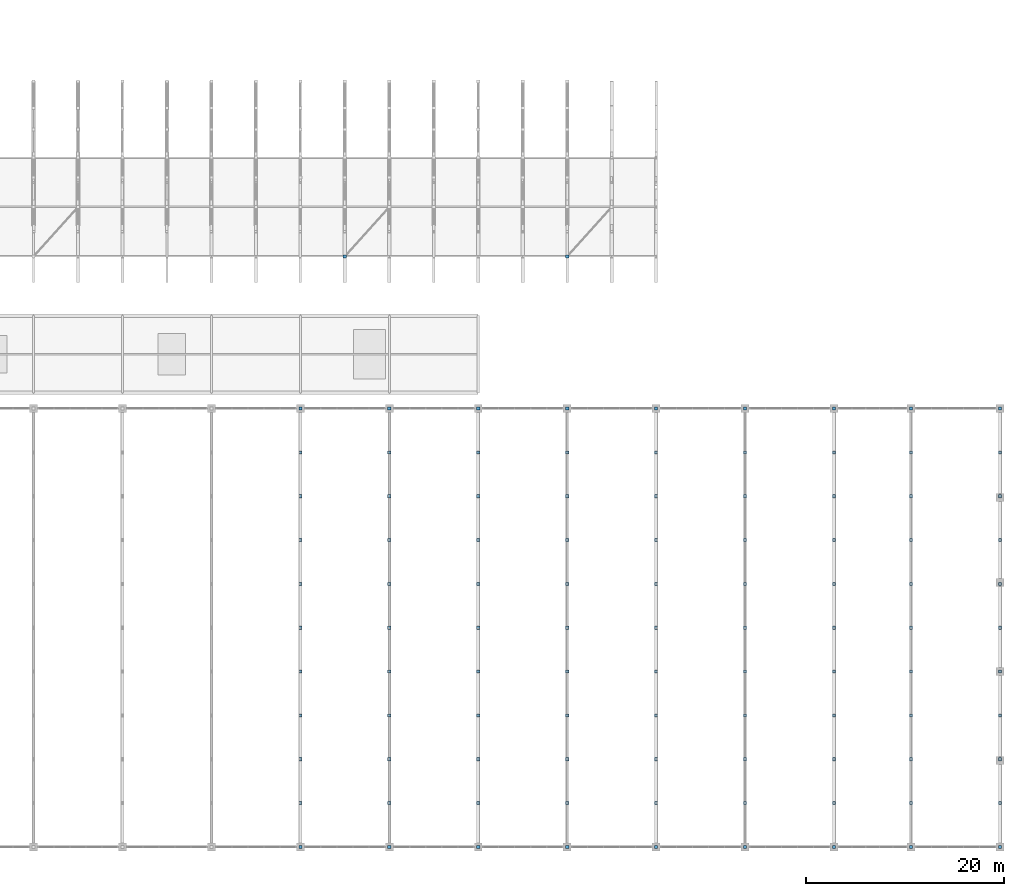
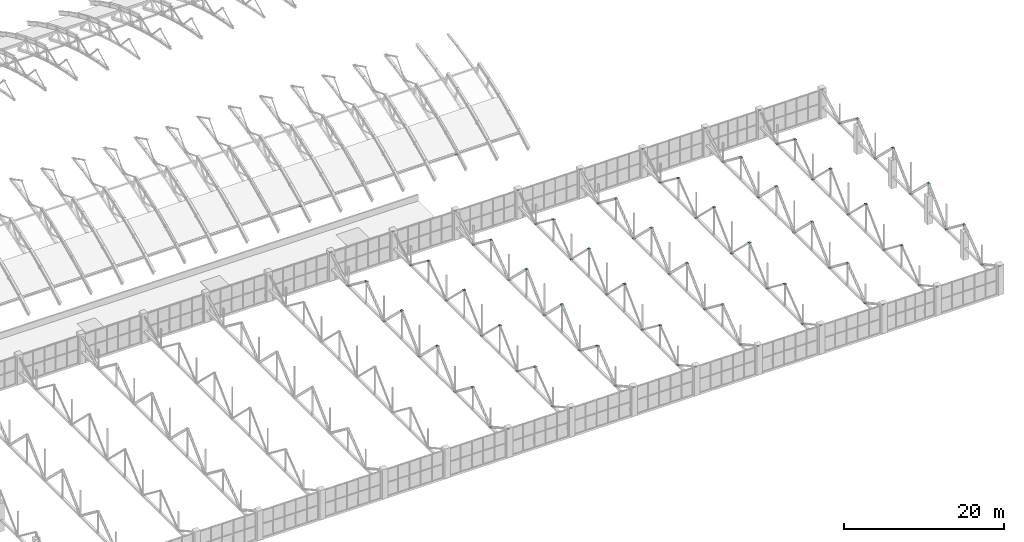
# One storey, part 98 of 103: 101 discrete accessories.
"""IFC4 building model written with IfcOpenShell, lengths in metres."""

from ifc_helpers import new_model, si_unit, direction, frame, origin, origin_2d, place, context, subcontext, project, spatial, rectangle, extrude, material, type_object, element, save


model = new_model("IFC4")

# Units and contexts
model_context = context("Model", 3, precision=1e-05, world=origin(), true_north=direction((0.0, 1.0)))
body_context = subcontext(model_context, "Body", "Model", "MODEL_VIEW")
ifc_project = project(units=[si_unit("LENGTHUNIT", "METRE"), si_unit("AREAUNIT", "SQUARE_METRE"), si_unit("VOLUMEUNIT", "CUBIC_METRE"), si_unit("PLANEANGLEUNIT", "RADIAN"), si_unit("MASSUNIT", "GRAM", prefix="KILO")], contexts=[model_context])

# Site, building, storey
site_placement = place(None, origin())
site = spatial("IfcSite", under=ifc_project, at=site_placement, CompositionType="ELEMENT")
building_placement = place(site_placement, origin())
building = spatial("IfcBuilding", under=site, at=building_placement, Name="Cazmaro Siding Exhibition Halls", CompositionType="ELEMENT")
storey_placement = place(building_placement, frame((0.0, 0.0, 16.5)))
storey = spatial("IfcBuildingStorey", under=building, at=storey_placement, Name="L03", CompositionType="ELEMENT", Elevation=16.5)

# Discrete accessories
ifc_material = material(Name="Steel ASTM A572 Grade 50", Category="steel")
discrete_accessory_type = type_object("IfcDiscreteAccessoryType", Name="GP-CONN-01", PredefinedType="BRACKET", material=ifc_material)
for number, where, z_axis, x_axis, name in (
    (1, (135.0, 9.25, 4.125), (0.0, 0.0, 1.0), (1.0, 0.0, 0.0), "Welded Steel Brace Node Gusset Connection GP-01 0585"),
    (2, (135.0, 13.68505859375, 1.68505859375), (0.0, 0.0, 1.0), (1.0, 0.0, 0.0), "Welded Steel Brace Node Gusset Connection GP-01 0586"),
    (3, (135.0, 18.1201171875, 5.05810546875), (0.0, 0.0, 1.0), (1.0, 0.0, 0.0), "Welded Steel Brace Node Gusset Connection GP-01 0587"),
    (4, (135.0, 22.554931640625, 1.68505859375), (0.0, 0.0, 1.0), (1.0, 0.0, 0.0), "Welded Steel Brace Node Gusset Connection GP-01 0588"),
    (5, (135.0, 26.989990234375, 5.98974609375), (0.0, 0.0, 1.0), (1.0, 0.0, 0.0), "Welded Steel Brace Node Gusset Connection GP-01 0589"),
    (6, (135.0, 31.425048828125, 1.68505859375), (0.0, 0.0, 1.0), (1.0, 0.0, 0.0), "Welded Steel Brace Node Gusset Connection GP-01 0590"),
    (7, (135.0, 35.860107421875, 5.98974609375), (0.0, 0.0, 1.0), (1.0, 0.0, 0.0), "Welded Steel Brace Node Gusset Connection GP-01 0591"),
    (8, (135.0, 40.294921875, 1.68505859375), (0.0, 0.0, 1.0), (1.0, 0.0, 0.0), "Welded Steel Brace Node Gusset Connection GP-01 0592"),
    (9, (135.0, 44.72998046875, 5.05810546875), (0.0, 0.0, 1.0), (1.0, 0.0, 0.0), "Welded Steel Brace Node Gusset Connection GP-01 0593"),
    (10, (135.0, 49.1650390625, 1.68505859375), (0.0, 0.0, 1.0), (1.0, 0.0, 0.0), "Welded Steel Brace Node Gusset Connection GP-01 0594"),
    (11, (135.0, 53.60009765625, 4.125), (0.0, 0.0, 1.0), (1.0, 0.0, 0.0), "Welded Steel Brace Node Gusset Connection GP-01 0595"),
    (12, (139.5, 69.0, 0.24609375), (0.0, 0.0, 1.0), (1.0, 0.0, 0.0), "Welded Steel Brace Node Gusset Connection GP-01 0620"),
    (13, (144.0, 9.25, 4.125), (0.0, 0.0, 1.0), (1.0, 0.0, 0.0), "Welded Steel Brace Node Gusset Connection GP-01 0645"),
    (14, (144.0, 13.68505859375, 1.68505859375), (0.0, 0.0, 1.0), (1.0, 0.0, 0.0), "Welded Steel Brace Node Gusset Connection GP-01 0646"),
    (15, (144.0, 18.1201171875, 5.05810546875), (0.0, 0.0, 1.0), (1.0, 0.0, 0.0), "Welded Steel Brace Node Gusset Connection GP-01 0647"),
    (16, (144.0, 22.554931640625, 1.68505859375), (0.0, 0.0, 1.0), (1.0, 0.0, 0.0), "Welded Steel Brace Node Gusset Connection GP-01 0648"),
    (17, (144.0, 26.989990234375, 5.98974609375), (0.0, 0.0, 1.0), (1.0, 0.0, 0.0), "Welded Steel Brace Node Gusset Connection GP-01 0649"),
    (18, (144.0, 31.425048828125, 1.68505859375), (0.0, 0.0, 1.0), (1.0, 0.0, 0.0), "Welded Steel Brace Node Gusset Connection GP-01 0650"),
    (19, (144.0, 35.860107421875, 5.98974609375), (0.0, 0.0, 1.0), (1.0, 0.0, 0.0), "Welded Steel Brace Node Gusset Connection GP-01 0651"),
    (20, (144.0, 40.294921875, 1.68505859375), (0.0, 0.0, 1.0), (1.0, 0.0, 0.0), "Welded Steel Brace Node Gusset Connection GP-01 0652"),
    (21, (144.0, 44.72998046875, 5.05810546875), (0.0, 0.0, 1.0), (1.0, 0.0, 0.0), "Welded Steel Brace Node Gusset Connection GP-01 0653"),
    (22, (144.0, 49.1650390625, 1.68505859375), (0.0, 0.0, 1.0), (1.0, 0.0, 0.0), "Welded Steel Brace Node Gusset Connection GP-01 0654"),
    (23, (144.0, 53.60009765625, 4.125), (0.0, 0.0, 1.0), (1.0, 0.0, 0.0), "Welded Steel Brace Node Gusset Connection GP-01 0655"),
    (24, (153.0, 9.25, 4.125), (0.0, 0.0, 1.0), (1.0, 0.0, 0.0), "Welded Steel Brace Node Gusset Connection GP-01 0704"),
    (25, (153.0, 13.68505859375, 1.68505859375), (0.0, 0.0, 1.0), (1.0, 0.0, 0.0), "Welded Steel Brace Node Gusset Connection GP-01 0705"),
    (26, (153.0, 18.1201171875, 5.05810546875), (0.0, 0.0, 1.0), (1.0, 0.0, 0.0), "Welded Steel Brace Node Gusset Connection GP-01 0706"),
    (27, (153.0, 22.554931640625, 1.68505859375), (0.0, 0.0, 1.0), (1.0, 0.0, 0.0), "Welded Steel Brace Node Gusset Connection GP-01 0707"),
    (28, (153.0, 26.989990234375, 5.98974609375), (0.0, 0.0, 1.0), (1.0, 0.0, 0.0), "Welded Steel Brace Node Gusset Connection GP-01 0708"),
    (29, (153.0, 31.425048828125, 1.68505859375), (0.0, 0.0, 1.0), (1.0, 0.0, 0.0), "Welded Steel Brace Node Gusset Connection GP-01 0709"),
    (30, (153.0, 35.860107421875, 5.98974609375), (0.0, 0.0, 1.0), (1.0, 0.0, 0.0), "Welded Steel Brace Node Gusset Connection GP-01 0710"),
    (31, (153.0, 40.294921875, 1.68505859375), (0.0, 0.0, 1.0), (1.0, 0.0, 0.0), "Welded Steel Brace Node Gusset Connection GP-01 0711"),
    (32, (153.0, 44.72998046875, 5.05810546875), (0.0, 0.0, 1.0), (1.0, 0.0, 0.0), "Welded Steel Brace Node Gusset Connection GP-01 0712"),
    (33, (153.0, 49.1650390625, 1.68505859375), (0.0, 0.0, 1.0), (1.0, 0.0, 0.0), "Welded Steel Brace Node Gusset Connection GP-01 0713"),
    (34, (153.0, 53.60009765625, 4.125), (0.0, 0.0, 1.0), (1.0, 0.0, 0.0), "Welded Steel Brace Node Gusset Connection GP-01 0714"),
    (35, (162.0, 9.25, 4.125), (0.0, 0.0, 1.0), (1.0, 0.0, 0.0), "Welded Steel Brace Node Gusset Connection GP-01 0759"),
    (36, (162.0, 13.68505859375, 1.68505859375), (0.0, 0.0, 1.0), (1.0, 0.0, 0.0), "Welded Steel Brace Node Gusset Connection GP-01 0760"),
    (37, (162.0, 18.1201171875, 5.05810546875), (0.0, 0.0, 1.0), (1.0, 0.0, 0.0), "Welded Steel Brace Node Gusset Connection GP-01 0761"),
    (38, (162.0, 22.554931640625, 1.68505859375), (0.0, 0.0, 1.0), (1.0, 0.0, 0.0), "Welded Steel Brace Node Gusset Connection GP-01 0762"),
    (39, (162.0, 26.989990234375, 5.98974609375), (0.0, 0.0, 1.0), (1.0, 0.0, 0.0), "Welded Steel Brace Node Gusset Connection GP-01 0763"),
    (40, (162.0, 31.425048828125, 1.68505859375), (0.0, 0.0, 1.0), (1.0, 0.0, 0.0), "Welded Steel Brace Node Gusset Connection GP-01 0764"),
    (41, (162.0, 35.860107421875, 5.98974609375), (0.0, 0.0, 1.0), (1.0, 0.0, 0.0), "Welded Steel Brace Node Gusset Connection GP-01 0765"),
    (42, (162.0, 40.294921875, 1.68505859375), (0.0, 0.0, 1.0), (1.0, 0.0, 0.0), "Welded Steel Brace Node Gusset Connection GP-01 0766"),
    (43, (162.0, 44.72998046875, 5.05810546875), (0.0, 0.0, 1.0), (1.0, 0.0, 0.0), "Welded Steel Brace Node Gusset Connection GP-01 0767"),
    (44, (162.0, 49.1650390625, 1.68505859375), (0.0, 0.0, 1.0), (1.0, 0.0, 0.0), "Welded Steel Brace Node Gusset Connection GP-01 0768"),
    (45, (162.0, 53.60009765625, 4.125), (0.0, 0.0, 1.0), (1.0, 0.0, 0.0), "Welded Steel Brace Node Gusset Connection GP-01 0769"),
    (46, (162.0, 69.0, 0.24609375), (0.0, 0.0, 1.0), (1.0, 0.0, 0.0), "Welded Steel Brace Node Gusset Connection GP-01 0772"),
    (47, (171.0, 9.25, 4.125), (0.0, 0.0, 1.0), (1.0, 0.0, 0.0), "Welded Steel Brace Node Gusset Connection GP-01 0801"),
    (48, (171.0, 13.68505859375, 1.68505859375), (0.0, 0.0, 1.0), (1.0, 0.0, 0.0), "Welded Steel Brace Node Gusset Connection GP-01 0802"),
    (49, (171.0, 18.1201171875, 5.05810546875), (0.0, 0.0, 1.0), (1.0, 0.0, 0.0), "Welded Steel Brace Node Gusset Connection GP-01 0803"),
    (50, (171.0, 22.554931640625, 1.68505859375), (0.0, 0.0, 1.0), (1.0, 0.0, 0.0), "Welded Steel Brace Node Gusset Connection GP-01 0804"),
    (51, (171.0, 26.989990234375, 5.98974609375), (0.0, 0.0, 1.0), (1.0, 0.0, 0.0), "Welded Steel Brace Node Gusset Connection GP-01 0805"),
    (52, (171.0, 31.425048828125, 1.68505859375), (0.0, 0.0, 1.0), (1.0, 0.0, 0.0), "Welded Steel Brace Node Gusset Connection GP-01 0806"),
    (53, (171.0, 35.860107421875, 5.98974609375), (0.0, 0.0, 1.0), (1.0, 0.0, 0.0), "Welded Steel Brace Node Gusset Connection GP-01 0807"),
    (54, (171.0, 40.294921875, 1.68505859375), (0.0, 0.0, 1.0), (1.0, 0.0, 0.0), "Welded Steel Brace Node Gusset Connection GP-01 0808"),
    (55, (171.0, 44.72998046875, 5.05810546875), (0.0, 0.0, 1.0), (1.0, 0.0, 0.0), "Welded Steel Brace Node Gusset Connection GP-01 0809"),
    (56, (171.0, 49.1650390625, 1.68505859375), (0.0, 0.0, 1.0), (1.0, 0.0, 0.0), "Welded Steel Brace Node Gusset Connection GP-01 0810"),
    (57, (171.0, 53.60009765625, 4.125), (0.0, 0.0, 1.0), (1.0, 0.0, 0.0), "Welded Steel Brace Node Gusset Connection GP-01 0811"),
    (58, (180.0, 9.25, 4.125), (0.0, 0.0, 1.0), (1.0, 0.0, 0.0), "Welded Steel Brace Node Gusset Connection GP-01 0819"),
    (59, (180.0, 13.68505859375, 1.68505859375), (0.0, 0.0, 1.0), (1.0, 0.0, 0.0), "Welded Steel Brace Node Gusset Connection GP-01 0820"),
    (60, (180.0, 18.1201171875, 5.05810546875), (0.0, 0.0, 1.0), (1.0, 0.0, 0.0), "Welded Steel Brace Node Gusset Connection GP-01 0821"),
    (61, (180.0, 22.554931640625, 1.68505859375), (0.0, 0.0, 1.0), (1.0, 0.0, 0.0), "Welded Steel Brace Node Gusset Connection GP-01 0822"),
    (62, (180.0, 26.989990234375, 5.98974609375), (0.0, 0.0, 1.0), (1.0, 0.0, 0.0), "Welded Steel Brace Node Gusset Connection GP-01 0823"),
    (63, (180.0, 31.425048828125, 1.68505859375), (0.0, 0.0, 1.0), (1.0, 0.0, 0.0), "Welded Steel Brace Node Gusset Connection GP-01 0824"),
    (64, (180.0, 35.860107421875, 5.98974609375), (0.0, 0.0, 1.0), (1.0, 0.0, 0.0), "Welded Steel Brace Node Gusset Connection GP-01 0825"),
    (65, (180.0, 40.294921875, 1.68505859375), (0.0, 0.0, 1.0), (1.0, 0.0, 0.0), "Welded Steel Brace Node Gusset Connection GP-01 0826"),
    (66, (180.0, 44.72998046875, 5.05810546875), (0.0, 0.0, 1.0), (1.0, 0.0, 0.0), "Welded Steel Brace Node Gusset Connection GP-01 0827"),
    (67, (180.0, 49.1650390625, 1.68505859375), (0.0, 0.0, 1.0), (1.0, 0.0, 0.0), "Welded Steel Brace Node Gusset Connection GP-01 0828"),
    (68, (180.0, 53.60009765625, 4.125), (0.0, 0.0, 1.0), (1.0, 0.0, 0.0), "Welded Steel Brace Node Gusset Connection GP-01 0829"),
    (69, (189.0, 9.25, 4.125), (0.0, 0.0, 1.0), (1.0, 0.0, 0.0), "Welded Steel Brace Node Gusset Connection GP-01 0851"),
    (70, (189.0, 13.68505859375, 1.68505859375), (0.0, 0.0, 1.0), (1.0, 0.0, 0.0), "Welded Steel Brace Node Gusset Connection GP-01 0852"),
    (71, (189.0, 18.1201171875, 5.05810546875), (0.0, 0.0, 1.0), (1.0, 0.0, 0.0), "Welded Steel Brace Node Gusset Connection GP-01 0853"),
    (72, (189.0, 22.554931640625, 1.68505859375), (0.0, 0.0, 1.0), (1.0, 0.0, 0.0), "Welded Steel Brace Node Gusset Connection GP-01 0854"),
    (73, (189.0, 26.989990234375, 5.98974609375), (0.0, 0.0, 1.0), (1.0, 0.0, 0.0), "Welded Steel Brace Node Gusset Connection GP-01 0855"),
    (74, (189.0, 31.425048828125, 1.68505859375), (0.0, 0.0, 1.0), (1.0, 0.0, 0.0), "Welded Steel Brace Node Gusset Connection GP-01 0856"),
    (75, (189.0, 35.860107421875, 5.98974609375), (0.0, 0.0, 1.0), (1.0, 0.0, 0.0), "Welded Steel Brace Node Gusset Connection GP-01 0857"),
    (76, (189.0, 40.294921875, 1.68505859375), (0.0, 0.0, 1.0), (1.0, 0.0, 0.0), "Welded Steel Brace Node Gusset Connection GP-01 0858"),
    (77, (189.0, 44.72998046875, 5.05810546875), (0.0, 0.0, 1.0), (1.0, 0.0, 0.0), "Welded Steel Brace Node Gusset Connection GP-01 0859"),
    (78, (189.0, 49.1650390625, 1.68505859375), (0.0, 0.0, 1.0), (1.0, 0.0, 0.0), "Welded Steel Brace Node Gusset Connection GP-01 0860"),
    (79, (189.0, 53.60009765625, 4.125), (0.0, 0.0, 1.0), (1.0, 0.0, 0.0), "Welded Steel Brace Node Gusset Connection GP-01 0861"),
    (80, (196.800048828125, 9.25, 4.125), (0.0, 0.0, 1.0), (1.0, 0.0, 0.0), "Welded Steel Brace Node Gusset Connection GP-01 0876"),
    (81, (196.800048828125, 13.68505859375, 1.68505859375), (0.0, 0.0, 1.0), (1.0, 0.0, 0.0), "Welded Steel Brace Node Gusset Connection GP-01 0877"),
    (82, (196.800048828125, 18.1201171875, 5.05810546875), (0.0, 0.0, 1.0), (1.0, 0.0, 0.0), "Welded Steel Brace Node Gusset Connection GP-01 0878"),
    (83, (196.800048828125, 22.554931640625, 1.68505859375), (0.0, 0.0, 1.0), (1.0, 0.0, 0.0), "Welded Steel Brace Node Gusset Connection GP-01 0879"),
    (84, (196.800048828125, 26.989990234375, 5.98974609375), (0.0, 0.0, 1.0), (1.0, 0.0, 0.0), "Welded Steel Brace Node Gusset Connection GP-01 0880"),
    (85, (196.800048828125, 31.425048828125, 1.68505859375), (0.0, 0.0, 1.0), (1.0, 0.0, 0.0), "Welded Steel Brace Node Gusset Connection GP-01 0881"),
    (86, (196.800048828125, 35.860107421875, 5.98974609375), (0.0, 0.0, 1.0), (1.0, 0.0, 0.0), "Welded Steel Brace Node Gusset Connection GP-01 0882"),
    (87, (196.800048828125, 40.294921875, 1.68505859375), (0.0, 0.0, 1.0), (1.0, 0.0, 0.0), "Welded Steel Brace Node Gusset Connection GP-01 0883"),
    (88, (196.800048828125, 44.72998046875, 5.05810546875), (0.0, 0.0, 1.0), (1.0, 0.0, 0.0), "Welded Steel Brace Node Gusset Connection GP-01 0884"),
    (89, (196.800048828125, 49.1650390625, 1.68505859375), (0.0, 0.0, 1.0), (1.0, 0.0, 0.0), "Welded Steel Brace Node Gusset Connection GP-01 0885"),
    (90, (196.800048828125, 53.60009765625, 4.125), (0.0, 0.0, 1.0), (1.0, 0.0, 0.0), "Welded Steel Brace Node Gusset Connection GP-01 0886"),
    (91, (205.800048828125, 9.25, 4.125), (0.0, 0.0, 1.0), (1.0, 0.0, 0.0), "Welded Steel Brace Node Gusset Connection GP-01 0901"),
    (92, (205.800048828125, 13.68505859375, 1.68505859375), (0.0, 0.0, 1.0), (1.0, 0.0, 0.0), "Welded Steel Brace Node Gusset Connection GP-01 0902"),
    (93, (205.800048828125, 18.1201171875, 5.05810546875), (0.0, 0.0, 1.0), (1.0, 0.0, 0.0), "Welded Steel Brace Node Gusset Connection GP-01 0903"),
    (94, (205.800048828125, 22.554931640625, 1.68505859375), (0.0, 0.0, 1.0), (1.0, 0.0, 0.0), "Welded Steel Brace Node Gusset Connection GP-01 0904"),
    (95, (205.800048828125, 26.989990234375, 5.98974609375), (0.0, 0.0, 1.0), (1.0, 0.0, 0.0), "Welded Steel Brace Node Gusset Connection GP-01 0905"),
    (96, (205.800048828125, 31.425048828125, 1.68505859375), (0.0, 0.0, 1.0), (1.0, 0.0, 0.0), "Welded Steel Brace Node Gusset Connection GP-01 0906"),
    (97, (205.800048828125, 35.860107421875, 5.98974609375), (0.0, 0.0, 1.0), (1.0, 0.0, 0.0), "Welded Steel Brace Node Gusset Connection GP-01 0907"),
    (98, (205.800048828125, 40.294921875, 1.68505859375), (0.0, 0.0, 1.0), (1.0, 0.0, 0.0), "Welded Steel Brace Node Gusset Connection GP-01 0908"),
    (99, (205.800048828125, 44.72998046875, 5.05810546875), (0.0, 0.0, 1.0), (1.0, 0.0, 0.0), "Welded Steel Brace Node Gusset Connection GP-01 0909"),
    (100, (205.800048828125, 49.1650390625, 1.68505859375), (0.0, 0.0, 1.0), (1.0, 0.0, 0.0), "Welded Steel Brace Node Gusset Connection GP-01 0910"),
    (101, (205.800048828125, 53.60009765625, 4.125), (0.0, 0.0, 1.0), (1.0, 0.0, 0.0), "Welded Steel Brace Node Gusset Connection GP-01 0911"),
):
    element("IfcDiscreteAccessory", number, at=place(storey_placement, frame(where, z_axis=z_axis, x_axis=x_axis)), inside=storey, type_object=discrete_accessory_type, Name=name, PredefinedType="BRACKET", context=body_context, shape_type="SweptSolid", body=[
        extrude(rectangle(XDim=0.320068359375, YDim=0.320068359375, at=origin_2d()), origin(), (0.0, 0.0, 1.0), 0.030029296875),
    ])

save(model, "model.ifc")
